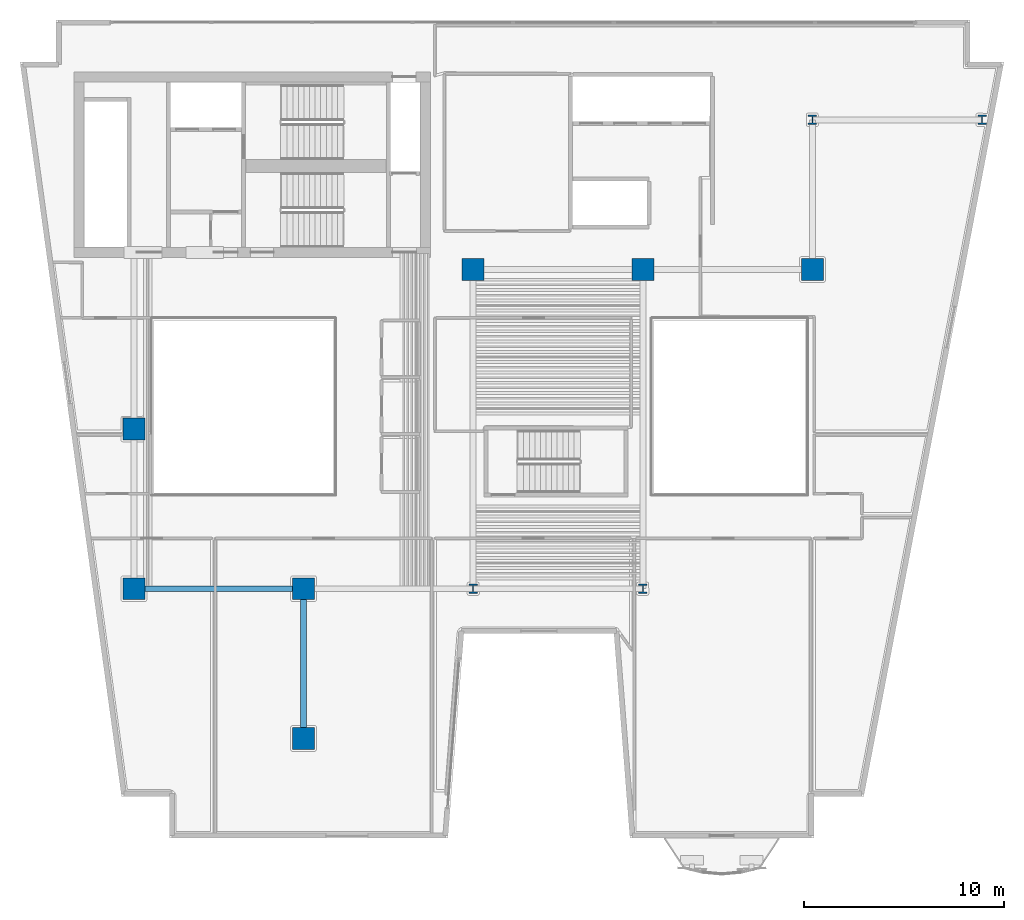
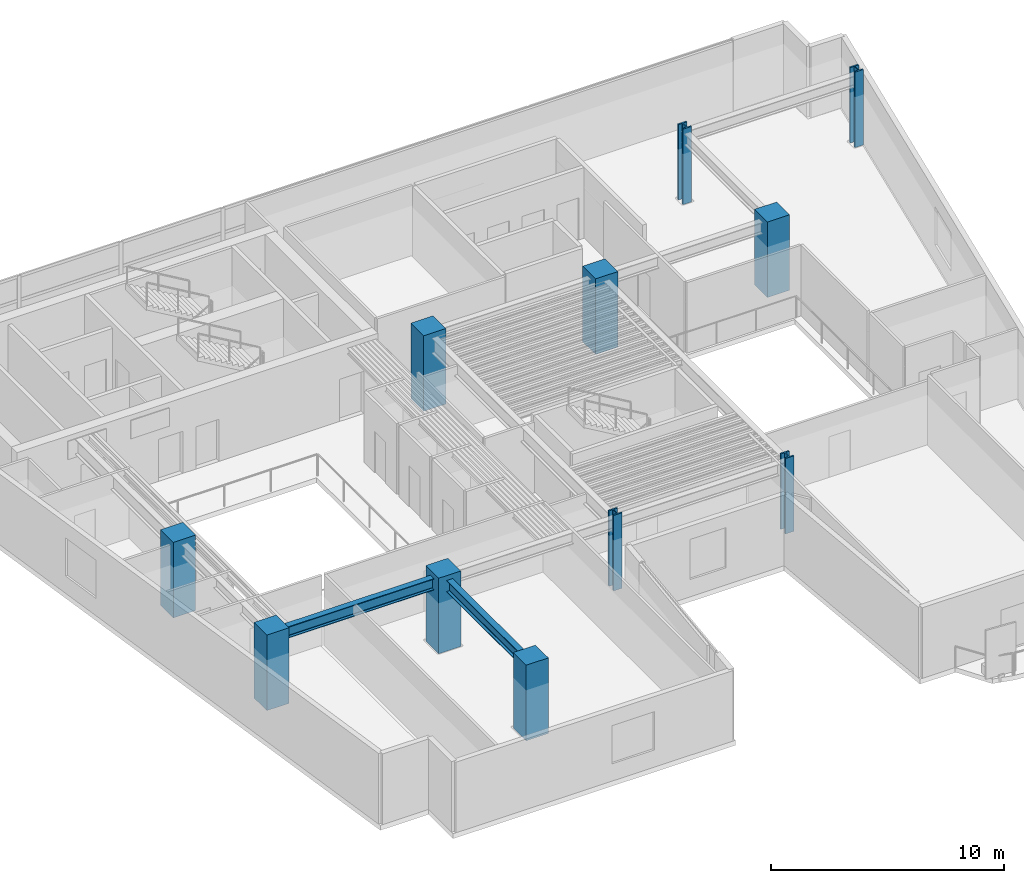
# One storey, part 1 of 13: 11 columns, 2 beams.
"""IFC4 building model written with IfcOpenShell, lengths in metres."""

from ifc_helpers import new_model, si_unit, direction, frame, origin, origin_2d, place, context, subcontext, project, spatial, rectangle, i_section, extrude, material, material_profile, profile_set, type_object, element, save


model = new_model("IFC4")

# Units and contexts
model_context = context("Model", 3, precision=1e-05, world=origin(), true_north=direction((0.0, 1.0)))
body_context = subcontext(model_context, "Body", "Model", "MODEL_VIEW")
ifc_project = project(units=[si_unit("LENGTHUNIT", "METRE"), si_unit("AREAUNIT", "SQUARE_METRE"), si_unit("VOLUMEUNIT", "CUBIC_METRE"), si_unit("PLANEANGLEUNIT", "RADIAN"), si_unit("MASSUNIT", "GRAM", prefix="KILO")], contexts=[model_context])

# Site, building, storey
site_placement = place(None, origin())
site = spatial("IfcSite", under=ifc_project, at=site_placement, CompositionType="ELEMENT")
building_placement = place(site_placement, origin())
building = spatial("IfcBuilding", under=site, at=building_placement, Name="Caeloran Harvest Quay", CompositionType="ELEMENT")
storey_placement = place(building_placement, frame((0.0, 0.0, 131.14990234375)))
storey = spatial("IfcBuildingStorey", under=building, at=storey_placement, Name="L30", CompositionType="ELEMENT", Elevation=131.14990234375)

# Columns
ifc_material_1 = material(Name="Concrete C70/85", Category="concrete")
ifc_material_profile_1 = material_profile(ifc_material_1, rectangle(XDim=1.10009765625, YDim=1.10009765625, at=origin_2d()), Name="RC 1100x1100")
ifc_profile_set_1 = profile_set([ifc_material_profile_1], Name="Concrete C70/85")
column_type_1 = type_object("IfcColumnType", Name="COL-MC-3-RC_1100x1100", PredefinedType="COLUMN", material=ifc_profile_set_1)
for number, where, z_axis, x_axis, name in (
    (1, (8.5, 15.0, 0.0), (0.0, 0.0, 1.0), (1.0, 0.0, 0.0), "L30 Structural Column (8.5, 15.0)"),
    (2, (8.5, 23.0, 0.0), (0.0, 0.0, 1.0), (1.0, 0.0, 0.0), "L30 Structural Column (8.5, 23.0)"),
    (3, (17.0, 7.5, 0.0), (0.0, 0.0, 1.0), (1.0, 0.0, 0.0), "L30 Structural Column (17.0, 7.5)"),
    (4, (17.0, 15.0, 0.0), (0.0, 0.0, 1.0), (1.0, 0.0, 0.0), "L30 Structural Column (17.0, 15.0)"),
    (5, (25.5, 31.0, 0.0), (0.0, 0.0, 1.0), (1.0, 0.0, 0.0), "L30 Structural Column (25.5, 31.0)"),
    (6, (34.0, 31.0, 0.0), (0.0, 0.0, 1.0), (1.0, 0.0, 0.0), "L30 Structural Column (34.0, 31.0)"),
    (7, (42.5, 31.0, 0.0), (0.0, 0.0, 1.0), (1.0, 0.0, 0.0), "L30 Structural Column (42.5, 31.0)"),
):
    element("IfcColumn", number, at=place(storey_placement, frame(where, z_axis=z_axis, x_axis=x_axis)), inside=storey, type_object=column_type_1, Name=name, PredefinedType="COLUMN", context=body_context, shape_type="SweptSolid", body=[
        extrude(rectangle(XDim=1.10009765625, YDim=1.10009765625, at=origin_2d()), origin(), (0.0, 0.0, 1.0), 3.9501953125),
    ])
ifc_material_2 = material(Name="Steel HISTAR 460", Category="steel")
ifc_material_profile_2 = material_profile(ifc_material_2, i_section(OverallWidth=0.424072265625, OverallDepth=0.47412109375, WebThickness=0.047607421875, FlangeThickness=0.076904296875, FilletRadius=0.014892578125, at=origin_2d()), Name="HD 400x634")
ifc_profile_set_2 = profile_set([ifc_material_profile_2], Name="Steel HISTAR 460")
column_type_2 = type_object("IfcColumnType", Name="COL-SC-3-HD_400x634", PredefinedType="COLUMN", material=ifc_profile_set_2)
for number, where, z_axis, x_axis, name in (
    (8, (25.5, 15.0, 0.0), (0.0, 0.0, 1.0), (1.0, 0.0, 0.0), "L30 Structural Column (25.5, 15.0)"),
    (9, (34.0, 15.0, 0.0), (0.0, 0.0, 1.0), (1.0, 0.0, 0.0), "L30 Structural Column (34.0, 15.0)"),
    (10, (42.5, 38.5, 0.0), (0.0, 0.0, 1.0), (1.0, 0.0, 0.0), "L30 Structural Column (42.5, 38.5)"),
    (11, (51.0, 38.5, 0.0), (0.0, 0.0, 1.0), (1.0, 0.0, 0.0), "L30 Structural Column (51.0, 38.5)"),
):
    element("IfcColumn", number, at=place(storey_placement, frame(where, z_axis=z_axis, x_axis=x_axis)), inside=storey, type_object=column_type_2, Name=name, PredefinedType="COLUMN", context=body_context, shape_type="SweptSolid", body=[
        extrude(i_section(OverallWidth=0.424072265625, OverallDepth=0.47412109375, WebThickness=0.047607421875, FlangeThickness=0.076904296875, FilletRadius=0.014892578125, at=origin_2d()), origin(), (0.0, 0.0, 1.0), 3.9501953125),
    ])

# Beams
ifc_material_3 = material(Name="Steel S355J2", Category="steel")
ifc_material_profile_3 = material_profile(ifc_material_3, i_section(OverallWidth=0.300048828125, OverallDepth=0.60009765625, WebThickness=0.015380859375, FlangeThickness=0.030029296875, FilletRadius=0.027099609375, at=origin_2d()), Name="HE 600 B")
ifc_profile_set_3 = profile_set([ifc_material_profile_3], Name="Steel S355J2")
beam_type = type_object("IfcBeamType", Name="BM-PG-3-HE_600_B", PredefinedType="BEAM", material=ifc_profile_set_3)
beam_1_placement = place(storey_placement, frame((8.5, 15.0, 3.39013671875), z_axis=(1.0, 0.0, 0.0), x_axis=(0.0, 1.0, 0.0)))
element("IfcBeam", 12, at=beam_1_placement, inside=storey, type_object=beam_type, Name="L30 Primary East-West Girder Y=15.0", PredefinedType="BEAM", context=body_context, shape_type="SweptSolid", body=[
    extrude(i_section(OverallWidth=0.300048828125, OverallDepth=0.60009765625, WebThickness=0.015380859375, FlangeThickness=0.030029296875, FilletRadius=0.027099609375, at=origin_2d()), origin(), (0.0, 0.0, 1.0), 8.5),
])
beam_2_placement = place(storey_placement, frame((17.0, 7.5, 3.39013671875), z_axis=(0.0, 1.0, 0.0), x_axis=(-1.0, 0.0, 0.0)))
element("IfcBeam", 13, at=beam_2_placement, inside=storey, type_object=beam_type, Name="L30 Primary North-South Girder X=17.0", PredefinedType="BEAM", context=body_context, shape_type="SweptSolid", body=[
    extrude(i_section(OverallWidth=0.300048828125, OverallDepth=0.60009765625, WebThickness=0.015380859375, FlangeThickness=0.030029296875, FilletRadius=0.027099609375, at=origin_2d()), origin(), (0.0, 0.0, 1.0), 7.5),
])

save(model, "model.ifc")
